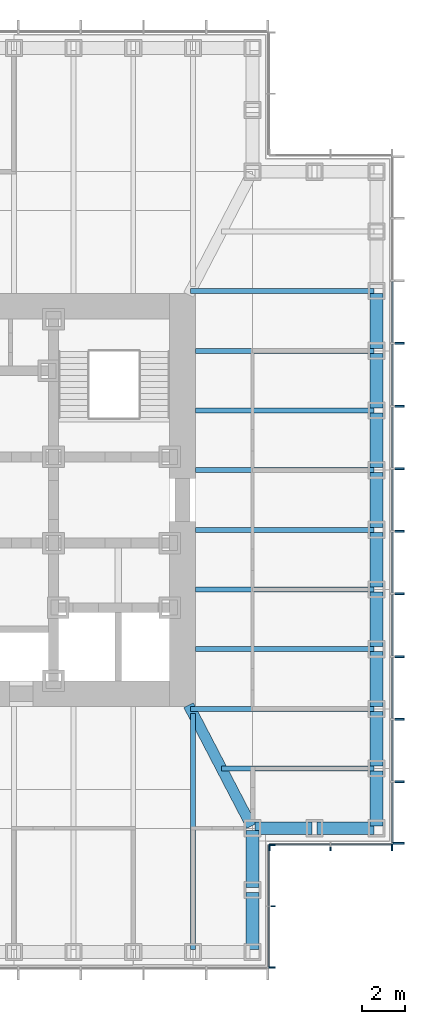
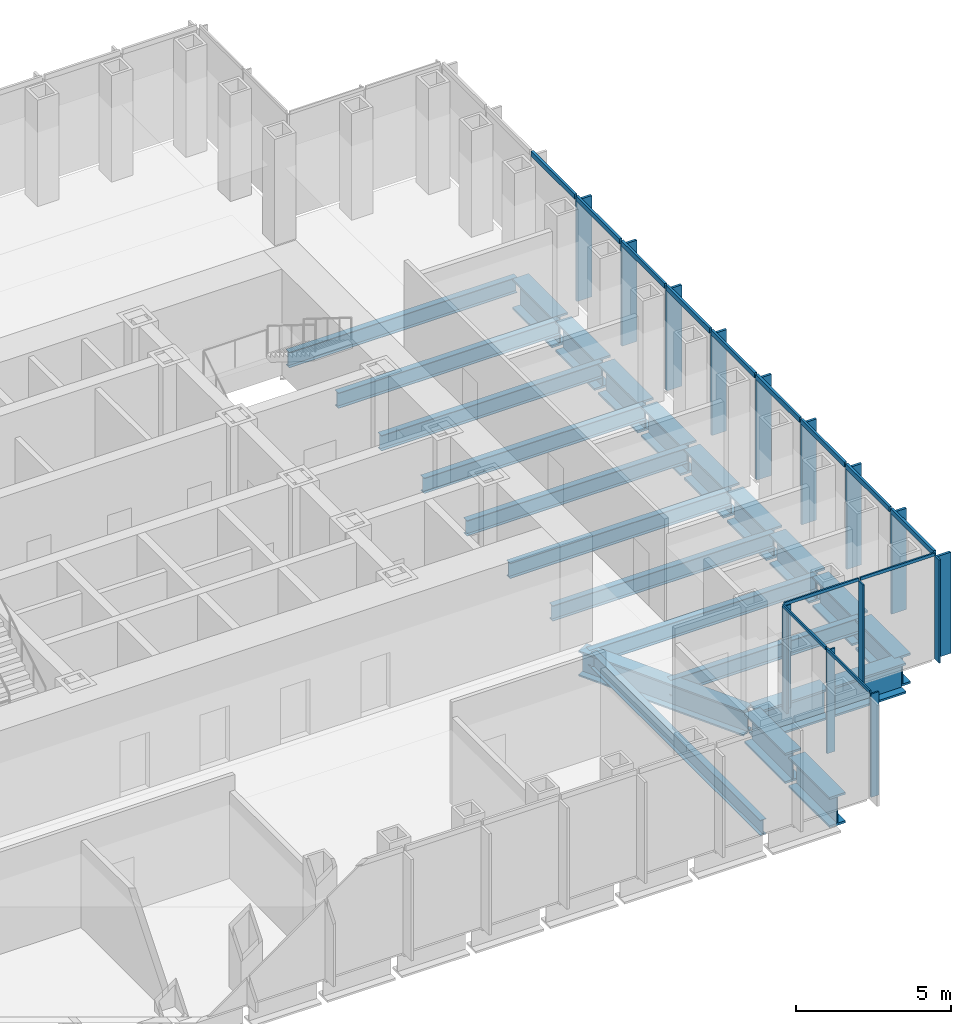
# One storey, part 4 of 16: 28 members, 24 beams, 3 elements without a shape of their own.
"""IFC4 building model written with IfcOpenShell, lengths in metres."""

from ifc_helpers import new_model, si_unit, direction, frame, origin, origin_2d, place, context, subcontext, project, spatial, rectangle, i_section, extrude, material, material_profile, profile_set, type_object, element, aggregate, save


model = new_model("IFC4")

# Units and contexts
model_context = context("Model", 3, precision=1e-05, world=origin(), true_north=direction((0.0, 1.0)))
body_context = subcontext(model_context, "Body", "Model", "MODEL_VIEW")
ifc_project = project(units=[si_unit("LENGTHUNIT", "METRE"), si_unit("AREAUNIT", "SQUARE_METRE"), si_unit("VOLUMEUNIT", "CUBIC_METRE"), si_unit("PLANEANGLEUNIT", "RADIAN"), si_unit("MASSUNIT", "GRAM", prefix="KILO")], contexts=[model_context])

# Site, building, storey
site_placement = place(None, origin())
site = spatial("IfcSite", under=ifc_project, at=site_placement, CompositionType="ELEMENT")
building_placement = place(site_placement, origin())
building = spatial("IfcBuilding", under=site, at=building_placement, Name="Daluyong Arena Tower", CompositionType="ELEMENT")
storey_placement = place(building_placement, frame((0.0, 0.0, 267.10009765625)))
storey = spatial("IfcBuildingStorey", under=building, at=storey_placement, Name="L60", CompositionType="ELEMENT", Elevation=267.10009765625)

# Curtain wall, members
ifc_material_1 = material(Name="Bronze anodised aluminium and glass", Category="aluminium")
curtain_wall_type_1 = type_object("IfcCurtainWallType", Name="Curtain wall CW4", PredefinedType="USERDEFINED", material=ifc_material_1)
curtain_wall_1_placement = place(storey_placement, origin())
curtain_wall_1 = element("IfcCurtainWall", 1, at=curtain_wall_1_placement, inside=storey, type_object=curtain_wall_type_1, Name="curtain wall L60 E", ObjectType="UNITISED CURTAIN WALL", PredefinedType="USERDEFINED")
ifc_material_2 = material(Name="Bronze anodised aluminium fin", Category="aluminium")
ifc_material_profile_1 = material_profile(ifc_material_2, rectangle(XDim=0.550048828125, YDim=0.090087890625, at=origin_2d()))
ifc_profile_set_1 = profile_set([ifc_material_profile_1], Name="Bronze anodised aluminium fin")
member_type_1 = type_object("IfcMemberType", Name="CW4 bronze fin 550x90", PredefinedType="MULLION", material=ifc_profile_set_1)
member_1_placement = place(storey_placement, frame((78.02490234375, 64.044921875, 0.0), z_axis=(0.0, 0.0, 1.0), x_axis=(-1.0, 0.0, 0.0)))
member_1 = element("IfcMember", 2, at=member_1_placement, type_object=member_type_1, Name="curtain wall L60 E fin 1", PredefinedType="MULLION", context=body_context, shape_type="SweptSolid", body=[
    extrude(rectangle(XDim=0.550048828125, YDim=0.090087890625, at=origin_2d()), origin(), (0.0, 0.0, 1.0), 4.0),
])
member_2_placement = place(storey_placement, frame((78.02490234375, 66.9091796875, 0.0), z_axis=(0.0, 0.0, 1.0), x_axis=(-1.0, 0.0, 0.0)))
member_2 = element("IfcMember", 3, at=member_2_placement, type_object=member_type_1, Name="curtain wall L60 E fin 2", PredefinedType="MULLION", context=body_context, shape_type="SweptSolid", body=[
    extrude(rectangle(XDim=0.550048828125, YDim=0.090087890625, at=origin_2d()), origin(), (0.0, 0.0, 1.0), 4.0),
])
member_3_placement = place(storey_placement, frame((78.02490234375, 69.818115234375, 0.0), z_axis=(0.0, 0.0, 1.0), x_axis=(-1.0, 0.0, 0.0)))
member_3 = element("IfcMember", 4, at=member_3_placement, type_object=member_type_1, Name="curtain wall L60 E fin 3", PredefinedType="MULLION", context=body_context, shape_type="SweptSolid", body=[
    extrude(rectangle(XDim=0.550048828125, YDim=0.090087890625, at=origin_2d()), origin(), (0.0, 0.0, 1.0), 4.0),
])
member_4_placement = place(storey_placement, frame((78.02490234375, 72.727294921875, 0.0), z_axis=(0.0, 0.0, 1.0), x_axis=(-1.0, 0.0, 0.0)))
member_4 = element("IfcMember", 5, at=member_4_placement, type_object=member_type_1, Name="curtain wall L60 E fin 4", PredefinedType="MULLION", context=body_context, shape_type="SweptSolid", body=[
    extrude(rectangle(XDim=0.550048828125, YDim=0.090087890625, at=origin_2d()), origin(), (0.0, 0.0, 1.0), 4.0),
])
member_5_placement = place(storey_placement, frame((78.02490234375, 75.636474609375, 0.0), z_axis=(0.0, 0.0, 1.0), x_axis=(-1.0, 0.0, 0.0)))
member_5 = element("IfcMember", 6, at=member_5_placement, type_object=member_type_1, Name="curtain wall L60 E fin 5", PredefinedType="MULLION", context=body_context, shape_type="SweptSolid", body=[
    extrude(rectangle(XDim=0.550048828125, YDim=0.090087890625, at=origin_2d()), origin(), (0.0, 0.0, 1.0), 4.0),
])
member_6_placement = place(storey_placement, frame((78.02490234375, 78.54541015625, 0.0), z_axis=(0.0, 0.0, 1.0), x_axis=(-1.0, 0.0, 0.0)))
member_6 = element("IfcMember", 7, at=member_6_placement, type_object=member_type_1, Name="curtain wall L60 E fin 6", PredefinedType="MULLION", context=body_context, shape_type="SweptSolid", body=[
    extrude(rectangle(XDim=0.550048828125, YDim=0.090087890625, at=origin_2d()), origin(), (0.0, 0.0, 1.0), 4.0),
])
member_7_placement = place(storey_placement, frame((78.02490234375, 81.45458984375, 0.0), z_axis=(0.0, 0.0, 1.0), x_axis=(-1.0, 0.0, 0.0)))
member_7 = element("IfcMember", 8, at=member_7_placement, type_object=member_type_1, Name="curtain wall L60 E fin 7", PredefinedType="MULLION", context=body_context, shape_type="SweptSolid", body=[
    extrude(rectangle(XDim=0.550048828125, YDim=0.090087890625, at=origin_2d()), origin(), (0.0, 0.0, 1.0), 4.0),
])
member_8_placement = place(storey_placement, frame((78.02490234375, 84.363525390625, 0.0), z_axis=(0.0, 0.0, 1.0), x_axis=(-1.0, 0.0, 0.0)))
member_8 = element("IfcMember", 9, at=member_8_placement, type_object=member_type_1, Name="curtain wall L60 E fin 8", PredefinedType="MULLION", context=body_context, shape_type="SweptSolid", body=[
    extrude(rectangle(XDim=0.550048828125, YDim=0.090087890625, at=origin_2d()), origin(), (0.0, 0.0, 1.0), 4.0),
])
member_9_placement = place(storey_placement, frame((78.02490234375, 87.272705078125, 0.0), z_axis=(0.0, 0.0, 1.0), x_axis=(-1.0, 0.0, 0.0)))
member_9 = element("IfcMember", 10, at=member_9_placement, type_object=member_type_1, Name="curtain wall L60 E fin 9", PredefinedType="MULLION", context=body_context, shape_type="SweptSolid", body=[
    extrude(rectangle(XDim=0.550048828125, YDim=0.090087890625, at=origin_2d()), origin(), (0.0, 0.0, 1.0), 4.0),
])
ifc_material_3 = material(Name="Bronze anodised aluminium", Category="aluminium")
ifc_material_profile_2 = material_profile(ifc_material_3, rectangle(XDim=0.090087890625, YDim=0.199951171875, at=origin_2d()))
ifc_profile_set_2 = profile_set([ifc_material_profile_2], Name="Bronze anodised aluminium")
member_type_2 = type_object("IfcMemberType", Name="CW4 stack transom 200x90", PredefinedType="USERDEFINED", material=ifc_profile_set_2)
member_10_placement = place(storey_placement, frame((77.75, 64.090087890625, 4.099853515625), z_axis=(0.0, 1.0, 0.0), x_axis=(-1.0, 0.0, 0.0)))
member_10 = element("IfcMember", 11, at=member_10_placement, type_object=member_type_2, Name="curtain wall L60 E transom 1", ObjectType="TRANSOM", PredefinedType="USERDEFINED", context=body_context, shape_type="SweptSolid", body=[
    extrude(rectangle(XDim=0.090087890625, YDim=0.199951171875, at=origin_2d()), origin(), (0.0, 0.0, 1.0), 2.77392578125),
])
member_11_placement = place(storey_placement, frame((77.75, 66.9541015625, 4.099853515625), z_axis=(0.0, 1.0, 0.0), x_axis=(-1.0, 0.0, 0.0)))
member_11 = element("IfcMember", 12, at=member_11_placement, type_object=member_type_2, Name="curtain wall L60 E transom 2", ObjectType="TRANSOM", PredefinedType="USERDEFINED", context=body_context, shape_type="SweptSolid", body=[
    extrude(rectangle(XDim=0.090087890625, YDim=0.199951171875, at=origin_2d()), origin(), (0.0, 0.0, 1.0), 2.819091796875),
])
member_12_placement = place(storey_placement, frame((77.75, 69.86328125, 4.099853515625), z_axis=(0.0, 1.0, 0.0), x_axis=(-1.0, 0.0, 0.0)))
member_12 = element("IfcMember", 13, at=member_12_placement, type_object=member_type_2, Name="curtain wall L60 E transom 3", ObjectType="TRANSOM", PredefinedType="USERDEFINED", context=body_context, shape_type="SweptSolid", body=[
    extrude(rectangle(XDim=0.090087890625, YDim=0.199951171875, at=origin_2d()), origin(), (0.0, 0.0, 1.0), 2.819091796875),
])
member_13_placement = place(storey_placement, frame((77.75, 72.772216796875, 4.099853515625), z_axis=(0.0, 1.0, 0.0), x_axis=(-1.0, 0.0, 0.0)))
member_13 = element("IfcMember", 14, at=member_13_placement, type_object=member_type_2, Name="curtain wall L60 E transom 4", ObjectType="TRANSOM", PredefinedType="USERDEFINED", context=body_context, shape_type="SweptSolid", body=[
    extrude(rectangle(XDim=0.090087890625, YDim=0.199951171875, at=origin_2d()), origin(), (0.0, 0.0, 1.0), 2.819091796875),
])
member_14_placement = place(storey_placement, frame((77.75, 75.681396484375, 4.099853515625), z_axis=(0.0, 1.0, 0.0), x_axis=(-1.0, 0.0, 0.0)))
member_14 = element("IfcMember", 15, at=member_14_placement, type_object=member_type_2, Name="curtain wall L60 E transom 5", ObjectType="TRANSOM", PredefinedType="USERDEFINED", context=body_context, shape_type="SweptSolid", body=[
    extrude(rectangle(XDim=0.090087890625, YDim=0.199951171875, at=origin_2d()), origin(), (0.0, 0.0, 1.0), 2.819091796875),
])
member_15_placement = place(storey_placement, frame((77.75, 78.590576171875, 4.099853515625), z_axis=(0.0, 1.0, 0.0), x_axis=(-1.0, 0.0, 0.0)))
member_15 = element("IfcMember", 16, at=member_15_placement, type_object=member_type_2, Name="curtain wall L60 E transom 6", ObjectType="TRANSOM", PredefinedType="USERDEFINED", context=body_context, shape_type="SweptSolid", body=[
    extrude(rectangle(XDim=0.090087890625, YDim=0.199951171875, at=origin_2d()), origin(), (0.0, 0.0, 1.0), 2.81884765625),
])
member_16_placement = place(storey_placement, frame((77.75, 81.49951171875, 4.099853515625), z_axis=(0.0, 1.0, 0.0), x_axis=(-1.0, 0.0, 0.0)))
member_16 = element("IfcMember", 17, at=member_16_placement, type_object=member_type_2, Name="curtain wall L60 E transom 7", ObjectType="TRANSOM", PredefinedType="USERDEFINED", context=body_context, shape_type="SweptSolid", body=[
    extrude(rectangle(XDim=0.090087890625, YDim=0.199951171875, at=origin_2d()), origin(), (0.0, 0.0, 1.0), 2.819091796875),
])
member_17_placement = place(storey_placement, frame((77.75, 84.40869140625, 4.099853515625), z_axis=(0.0, 1.0, 0.0), x_axis=(-1.0, 0.0, 0.0)))
member_17 = element("IfcMember", 18, at=member_17_placement, type_object=member_type_2, Name="curtain wall L60 E transom 8", ObjectType="TRANSOM", PredefinedType="USERDEFINED", context=body_context, shape_type="SweptSolid", body=[
    extrude(rectangle(XDim=0.090087890625, YDim=0.199951171875, at=origin_2d()), origin(), (0.0, 0.0, 1.0), 2.819091796875),
])
member_18_placement = place(storey_placement, frame((77.75, 87.317626953125, 4.099853515625), z_axis=(0.0, 1.0, 0.0), x_axis=(-1.0, 0.0, 0.0)))
member_18 = element("IfcMember", 19, at=member_18_placement, type_object=member_type_2, Name="curtain wall L60 E transom 9", ObjectType="TRANSOM", PredefinedType="USERDEFINED", context=body_context, shape_type="SweptSolid", body=[
    extrude(rectangle(XDim=0.090087890625, YDim=0.199951171875, at=origin_2d()), origin(), (0.0, 0.0, 1.0), 2.819091796875),
])
aggregate(curtain_wall_1, [member_1, member_2, member_3, member_4, member_5, member_6, member_7, member_8, member_9, member_10, member_11, member_12, member_13, member_14, member_15, member_16, member_17, member_18])

ifc_material_4 = material(Name="Bronze anodised aluminium and glass", Category="aluminium")
curtain_wall_type_2 = type_object("IfcCurtainWallType", Name="Curtain wall CW7", PredefinedType="USERDEFINED", material=ifc_material_4)
curtain_wall_2_placement = place(storey_placement, origin())
curtain_wall_2 = element("IfcCurtainWall", 20, at=curtain_wall_2_placement, inside=storey, type_object=curtain_wall_type_2, Name="curtain wall L60 SE-E", ObjectType="UNITISED CURTAIN WALL", PredefinedType="USERDEFINED")
ifc_material_5 = material(Name="Bronze anodised aluminium fin", Category="aluminium")
ifc_material_profile_3 = material_profile(ifc_material_5, rectangle(XDim=0.300048828125, YDim=0.06005859375, at=origin_2d()))
ifc_profile_set_3 = profile_set([ifc_material_profile_3], Name="Bronze anodised aluminium fin")
member_type_3 = type_object("IfcMemberType", Name="CW7 bronze fin 300x60", PredefinedType="MULLION", material=ifc_profile_set_3)
member_19_placement = place(storey_placement, frame((72.14990234375, 58.280029296875, 0.0), z_axis=(0.0, 0.0, 1.0), x_axis=(-1.0, 0.0, 0.0)))
member_19 = element("IfcMember", 21, at=member_19_placement, type_object=member_type_3, Name="curtain wall L60 SE-E fin 1", PredefinedType="MULLION", context=body_context, shape_type="SweptSolid", body=[
    extrude(rectangle(XDim=0.300048828125, YDim=0.06005859375, at=origin_2d()), origin(), (0.0, 0.0, 1.0), 4.079833984375),
])
member_20_placement = place(storey_placement, frame((72.14990234375, 61.125, 0.0), z_axis=(0.0, 0.0, 1.0), x_axis=(-1.0, 0.0, 0.0)))
member_20 = element("IfcMember", 22, at=member_20_placement, type_object=member_type_3, Name="curtain wall L60 SE-E fin 2", PredefinedType="MULLION", context=body_context, shape_type="SweptSolid", body=[
    extrude(rectangle(XDim=0.300048828125, YDim=0.06005859375, at=origin_2d()), origin(), (0.0, 0.0, 1.0), 4.079833984375),
])
member_21_placement = place(storey_placement, frame((72.14990234375, 63.969970703125, 0.0), z_axis=(0.0, 0.0, 1.0), x_axis=(-1.0, 0.0, 0.0)))
member_21 = element("IfcMember", 23, at=member_21_placement, type_object=member_type_3, Name="curtain wall L60 SE-E fin 3", PredefinedType="MULLION", context=body_context, shape_type="SweptSolid", body=[
    extrude(rectangle(XDim=0.300048828125, YDim=0.06005859375, at=origin_2d()), origin(), (0.0, 0.0, 1.0), 4.079833984375),
])

curtain_wall_3_placement = place(storey_placement, origin())
curtain_wall_3 = element("IfcCurtainWall", 24, at=curtain_wall_3_placement, inside=storey, type_object=curtain_wall_type_2, Name="curtain wall L60 SE-S", ObjectType="UNITISED CURTAIN WALL", PredefinedType="USERDEFINED")
member_22_placement = place(storey_placement, frame((72.030029296875, 63.85009765625, 0.0), z_axis=(0.0, 0.0, 1.0), x_axis=(0.0, 1.0, 0.0)))
member_22 = element("IfcMember", 25, at=member_22_placement, type_object=member_type_3, Name="curtain wall L60 SE-S fin 1", PredefinedType="MULLION", context=body_context, shape_type="SweptSolid", body=[
    extrude(rectangle(XDim=0.300048828125, YDim=0.06005859375, at=origin_2d()), origin(), (0.0, 0.0, 1.0), 4.079833984375),
])
member_23_placement = place(storey_placement, frame((74.875, 63.85009765625, 0.0), z_axis=(0.0, 0.0, 1.0), x_axis=(0.0, 1.0, 0.0)))
member_23 = element("IfcMember", 26, at=member_23_placement, type_object=member_type_3, Name="curtain wall L60 SE-S fin 2", PredefinedType="MULLION", context=body_context, shape_type="SweptSolid", body=[
    extrude(rectangle(XDim=0.300048828125, YDim=0.06005859375, at=origin_2d()), origin(), (0.0, 0.0, 1.0), 4.079833984375),
])
member_24_placement = place(storey_placement, frame((77.719970703125, 63.85009765625, 0.0), z_axis=(0.0, 0.0, 1.0), x_axis=(0.0, 1.0, 0.0)))
member_24 = element("IfcMember", 27, at=member_24_placement, type_object=member_type_3, Name="curtain wall L60 SE-S fin 3", PredefinedType="MULLION", context=body_context, shape_type="SweptSolid", body=[
    extrude(rectangle(XDim=0.300048828125, YDim=0.06005859375, at=origin_2d()), origin(), (0.0, 0.0, 1.0), 4.079833984375),
])

# Member
ifc_material_6 = material(Name="Bronze anodised aluminium", Category="aluminium")
ifc_material_profile_4 = material_profile(ifc_material_6, rectangle(XDim=0.06005859375, YDim=0.1201171875, at=origin_2d()))
ifc_profile_set_4 = profile_set([ifc_material_profile_4], Name="Bronze anodised aluminium")
member_type_4 = type_object("IfcMemberType", Name="CW7 stack transom 120x60", PredefinedType="USERDEFINED", material=ifc_profile_set_4)
member_25_placement = place(storey_placement, frame((72.0, 58.31005859375, 4.139892578125), z_axis=(0.0, 1.0, 0.0), x_axis=(-1.0, 0.0, 0.0)))
member_25 = element("IfcMember", 28, at=member_25_placement, type_object=member_type_4, Name="curtain wall L60 SE-E transom 1", ObjectType="TRANSOM", PredefinedType="USERDEFINED", context=body_context, shape_type="SweptSolid", body=[
    extrude(rectangle(XDim=0.06005859375, YDim=0.1201171875, at=origin_2d()), origin(), (0.0, 0.0, 1.0), 2.784912109375),
])

member_26_placement = place(storey_placement, frame((72.0, 61.155029296875, 4.139892578125), z_axis=(0.0, 1.0, 0.0), x_axis=(-1.0, 0.0, 0.0)))
member_26 = element("IfcMember", 29, at=member_26_placement, type_object=member_type_4, Name="curtain wall L60 SE-E transom 2", ObjectType="TRANSOM", PredefinedType="USERDEFINED", context=body_context, shape_type="SweptSolid", body=[
    extrude(rectangle(XDim=0.06005859375, YDim=0.1201171875, at=origin_2d()), origin(), (0.0, 0.0, 1.0), 2.784912109375),
])

aggregate(curtain_wall_2, [member_19, member_20, member_21, member_25, member_26])

member_27_placement = place(storey_placement, frame((72.06005859375, 64.0, 4.139892578125), z_axis=(1.0, 0.0, 0.0), x_axis=(0.0, 1.0, 0.0)))
member_27 = element("IfcMember", 30, at=member_27_placement, type_object=member_type_4, Name="curtain wall L60 SE-S transom 1", ObjectType="TRANSOM", PredefinedType="USERDEFINED", context=body_context, shape_type="SweptSolid", body=[
    extrude(rectangle(XDim=0.06005859375, YDim=0.1201171875, at=origin_2d()), origin(), (0.0, 0.0, 1.0), 2.784912109375),
])

member_28_placement = place(storey_placement, frame((74.905029296875, 64.0, 4.139892578125), z_axis=(1.0, 0.0, 0.0), x_axis=(0.0, 1.0, 0.0)))
member_28 = element("IfcMember", 31, at=member_28_placement, type_object=member_type_4, Name="curtain wall L60 SE-S transom 2", ObjectType="TRANSOM", PredefinedType="USERDEFINED", context=body_context, shape_type="SweptSolid", body=[
    extrude(rectangle(XDim=0.06005859375, YDim=0.1201171875, at=origin_2d()), origin(), (0.0, 0.0, 1.0), 2.784912109375),
])

aggregate(curtain_wall_3, [member_22, member_23, member_24, member_27, member_28])

# Beams
ifc_material_7 = material(Name="Steel ASTM A572 Grade 50", Category="steel")
ifc_material_profile_5 = material_profile(ifc_material_7, i_section(OverallWidth=0.5, OverallDepth=1.0, WebThickness=0.03, FlangeThickness=0.06, at=origin_2d()))
ifc_profile_set_5 = profile_set([ifc_material_profile_5], Name="Steel ASTM A572 Grade 50")
beam_type_1 = type_object("IfcBeamType", Name="Corner girder TB1000X500", PredefinedType="BEAM", material=ifc_profile_set_5)
beam_1_placement = place(storey_placement, frame((71.197021484375, 64.85205078125, -0.66015625), z_axis=(-0.461351522179, 0.887217432754, 0.0), x_axis=(-0.887217432754, -0.461351522179, 0.0)))
element("IfcBeam", 32, at=beam_1_placement, inside=storey, type_object=beam_type_1, Name="corner girder DG2", PredefinedType="BEAM", context=body_context, shape_type="SweptSolid", body=[
    extrude(i_section(OverallWidth=0.5, OverallDepth=1.0, WebThickness=0.03, FlangeThickness=0.06, at=origin_2d()), origin(), (0.0, 0.0, 1.0), 6.32958984375),
])
ifc_material_8 = material(Name="Steel ASTM A992 Grade 50", Category="steel")
ifc_material_profile_6 = material_profile(ifc_material_8, i_section(OverallWidth=0.22900390625, OverallDepth=0.612060546875, WebThickness=0.011962890625, FlangeThickness=0.01953125, at=origin_2d()))
ifc_profile_set_6 = profile_set([ifc_material_profile_6], Name="Steel ASTM A992 Grade 50")
beam_type_2 = type_object("IfcBeamType", Name="Floor beam W24X84", PredefinedType="BEAM", material=ifc_profile_set_6)
beam_2_placement = place(storey_placement, frame((68.477294921875, 59.114990234375, -0.466064453125), z_axis=(0.0, 1.0, 0.0), x_axis=(-1.0, 0.0, 0.0)))
element("IfcBeam", 33, at=beam_2_placement, inside=storey, type_object=beam_type_2, Name="floor beam FB3", PredefinedType="BEAM", context=body_context, shape_type="SweptSolid", body=[
    extrude(i_section(OverallWidth=0.22900390625, OverallDepth=0.612060546875, WebThickness=0.011962890625, FlangeThickness=0.01953125, at=origin_2d()), origin(), (0.0, 0.0, 1.0), 10.96728515625),
])
beam_3_placement = place(storey_placement, frame((76.885009765625, 67.522705078125, -0.466064453125), z_axis=(-1.0, 0.0, 0.0), x_axis=(0.0, -1.0, 0.0)))
element("IfcBeam", 34, at=beam_3_placement, inside=storey, type_object=beam_type_2, Name="floor beam FB3", PredefinedType="BEAM", context=body_context, shape_type="SweptSolid", body=[
    extrude(i_section(OverallWidth=0.22900390625, OverallDepth=0.612060546875, WebThickness=0.011962890625, FlangeThickness=0.01953125, at=origin_2d()), origin(), (0.0, 0.0, 1.0), 7.076904296875),
])
beam_4_placement = place(storey_placement, frame((76.885009765625, 70.29541015625, -0.466064453125), z_axis=(-1.0, 0.0, 0.0), x_axis=(0.0, -1.0, 0.0)))
element("IfcBeam", 35, at=beam_4_placement, inside=storey, type_object=beam_type_2, Name="floor beam FB3", PredefinedType="BEAM", context=body_context, shape_type="SweptSolid", body=[
    extrude(i_section(OverallWidth=0.22900390625, OverallDepth=0.612060546875, WebThickness=0.011962890625, FlangeThickness=0.01953125, at=origin_2d()), origin(), (0.0, 0.0, 1.0), 8.5185546875),
])
for number, where, z_axis, x_axis, name in (
    (36, (76.885009765625, 73.068115234375, -0.466064453125), (-1.0, 0.0, 0.0), (0.0, -1.0, 0.0), "floor beam FB3"),
    (37, (76.885009765625, 75.8408203125, -0.466064453125), (-1.0, 0.0, 0.0), (0.0, -1.0, 0.0), "floor beam FB3"),
    (38, (76.885009765625, 78.613525390625, -0.466064453125), (-1.0, 0.0, 0.0), (0.0, -1.0, 0.0), "floor beam FB3"),
    (39, (76.885009765625, 81.386474609375, -0.466064453125), (-1.0, 0.0, 0.0), (0.0, -1.0, 0.0), "floor beam FB3"),
    (40, (76.885009765625, 84.1591796875, -0.466064453125), (-1.0, 0.0, 0.0), (0.0, -1.0, 0.0), "floor beam FB3"),
    (41, (76.885009765625, 86.931884765625, -0.466064453125), (-1.0, 0.0, 0.0), (0.0, -1.0, 0.0), "floor beam FB3"),
):
    element("IfcBeam", number, at=place(storey_placement, frame(where, z_axis=z_axis, x_axis=x_axis)), inside=storey, type_object=beam_type_2, Name=name, PredefinedType="BEAM", context=body_context, shape_type="SweptSolid", body=[
        extrude(i_section(OverallWidth=0.22900390625, OverallDepth=0.612060546875, WebThickness=0.011962890625, FlangeThickness=0.01953125, at=origin_2d()), origin(), (0.0, 0.0, 1.0), 8.284912109375),
    ])
beam_5_placement = place(storey_placement, frame((76.885009765625, 89.70458984375, -0.466064453125), z_axis=(-1.0, 0.0, 0.0), x_axis=(0.0, -1.0, 0.0)))
element("IfcBeam", 42, at=beam_5_placement, inside=storey, type_object=beam_type_2, Name="floor beam FB3", PredefinedType="BEAM", context=body_context, shape_type="SweptSolid", body=[
    extrude(i_section(OverallWidth=0.22900390625, OverallDepth=0.612060546875, WebThickness=0.011962890625, FlangeThickness=0.01953125, at=origin_2d()), origin(), (0.0, 0.0, 1.0), 8.5185546875),
])
ifc_material_9 = material(Name="Steel ASTM A572 Grade 50", Category="steel")
ifc_material_profile_7 = material_profile(ifc_material_9, i_section(OverallWidth=0.60009765625, OverallDepth=1.199951171875, WebThickness=0.03, FlangeThickness=0.08, at=origin_2d()))
ifc_profile_set_7 = profile_set([ifc_material_profile_7], Name="Steel ASTM A572 Grade 50")
beam_type_3 = type_object("IfcBeamType", Name="Spandrel Z4 PG1200X600", PredefinedType="SPANDREL", material=ifc_profile_set_7)
for number, where, z_axis, x_axis, name in (
    (43, (71.25, 59.114990234375, -0.760009765625), (0.0, 1.0, 0.0), (-1.0, 0.0, 0.0), "spandrel z4 SB9"),
    (44, (71.25, 61.989990234375, -0.760009765625), (0.0, 1.0, 0.0), (-1.0, 0.0, 0.0), "spandrel z4 SB9"),
    (45, (71.364990234375, 64.75, -0.760009765625), (1.0, 0.0, 0.0), (0.0, 1.0, 0.0), "spandrel z4 SB9"),
    (46, (74.239990234375, 64.75, -0.760009765625), (1.0, 0.0, 0.0), (0.0, 1.0, 0.0), "spandrel z4 SB9"),
):
    element("IfcBeam", number, at=place(storey_placement, frame(where, z_axis=z_axis, x_axis=x_axis)), inside=storey, type_object=beam_type_3, Name=name, PredefinedType="SPANDREL", context=body_context, shape_type="SweptSolid", body=[
        extrude(i_section(OverallWidth=0.60009765625, OverallDepth=1.199951171875, WebThickness=0.03, FlangeThickness=0.08, at=origin_2d()), origin(), (0.0, 0.0, 1.0), 2.64501953125),
    ])
for number, where, z_axis, x_axis, name in (
    (47, (77.0, 64.864990234375, -0.760009765625), (0.0, 1.0, 0.0), (-1.0, 0.0, 0.0), "spandrel z4 SB9"),
    (48, (77.0, 67.6376953125, -0.760009765625), (0.0, 1.0, 0.0), (-1.0, 0.0, 0.0), "spandrel z4 SB9"),
    (49, (77.0, 70.410400390625, -0.760009765625), (0.0, 1.0, 0.0), (-1.0, 0.0, 0.0), "spandrel z4 SB9"),
    (50, (77.0, 73.18310546875, -0.760009765625), (0.0, 1.0, 0.0), (-1.0, 0.0, 0.0), "spandrel z4 SB9"),
    (51, (77.0, 75.955810546875, -0.760009765625), (0.0, 1.0, 0.0), (-1.0, 0.0, 0.0), "spandrel z4 SB9"),
):
    element("IfcBeam", number, at=place(storey_placement, frame(where, z_axis=z_axis, x_axis=x_axis)), inside=storey, type_object=beam_type_3, Name=name, PredefinedType="SPANDREL", context=body_context, shape_type="SweptSolid", body=[
        extrude(i_section(OverallWidth=0.60009765625, OverallDepth=1.199951171875, WebThickness=0.03, FlangeThickness=0.08, at=origin_2d()), origin(), (0.0, 0.0, 1.0), 2.542724609375),
    ])
beam_6_placement = place(storey_placement, frame((77.0, 78.728515625, -0.760009765625), z_axis=(0.0, 1.0, 0.0), x_axis=(-1.0, 0.0, 0.0)))
element("IfcBeam", 52, at=beam_6_placement, inside=storey, type_object=beam_type_3, Name="spandrel z4 SB9", PredefinedType="SPANDREL", context=body_context, shape_type="SweptSolid", body=[
    extrude(i_section(OverallWidth=0.60009765625, OverallDepth=1.199951171875, WebThickness=0.03, FlangeThickness=0.08, at=origin_2d()), origin(), (0.0, 0.0, 1.0), 2.54296875),
])
for number, where, z_axis, x_axis, name in (
    (53, (77.0, 81.50146484375, -0.760009765625), (0.0, 1.0, 0.0), (-1.0, 0.0, 0.0), "spandrel z4 SB9"),
    (54, (77.0, 84.274169921875, -0.760009765625), (0.0, 1.0, 0.0), (-1.0, 0.0, 0.0), "spandrel z4 SB9"),
    (55, (77.0, 87.046875, -0.760009765625), (0.0, 1.0, 0.0), (-1.0, 0.0, 0.0), "spandrel z4 SB9"),
):
    element("IfcBeam", number, at=place(storey_placement, frame(where, z_axis=z_axis, x_axis=x_axis)), inside=storey, type_object=beam_type_3, Name=name, PredefinedType="SPANDREL", context=body_context, shape_type="SweptSolid", body=[
        extrude(i_section(OverallWidth=0.60009765625, OverallDepth=1.199951171875, WebThickness=0.03, FlangeThickness=0.08, at=origin_2d()), origin(), (0.0, 0.0, 1.0), 2.542724609375),
    ])

save(model, "model.ifc")
